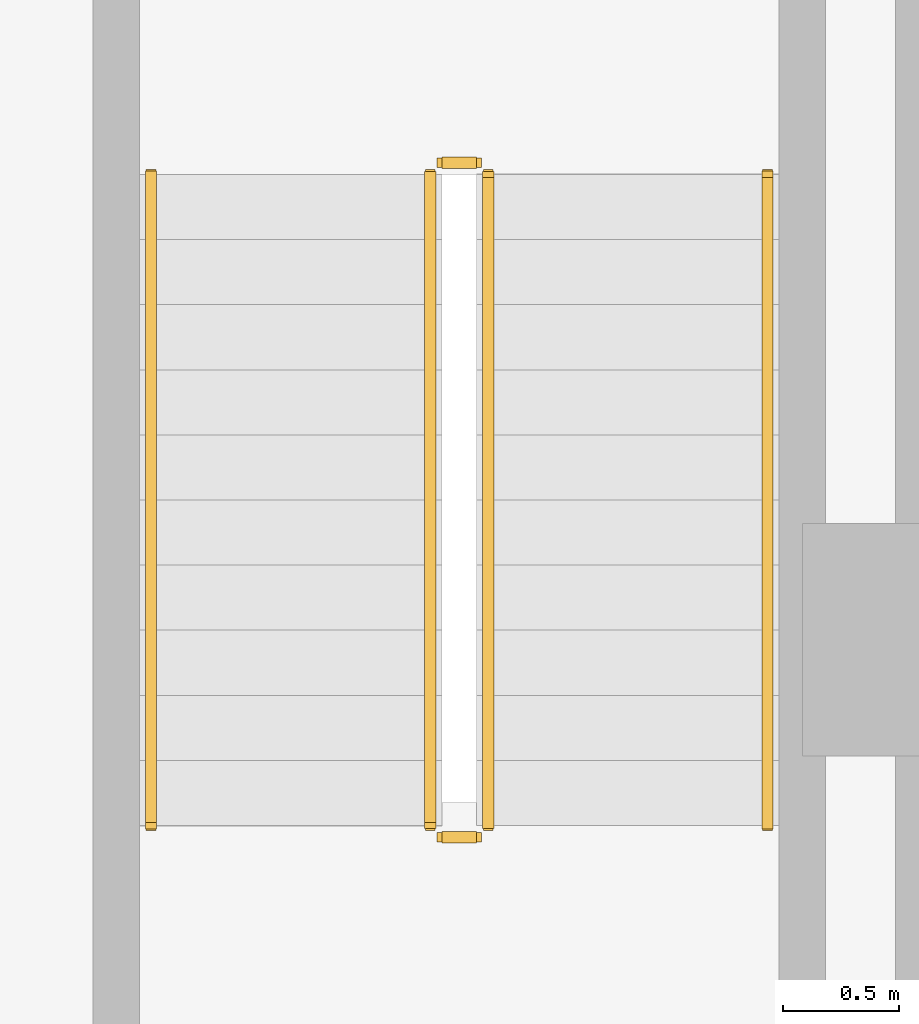
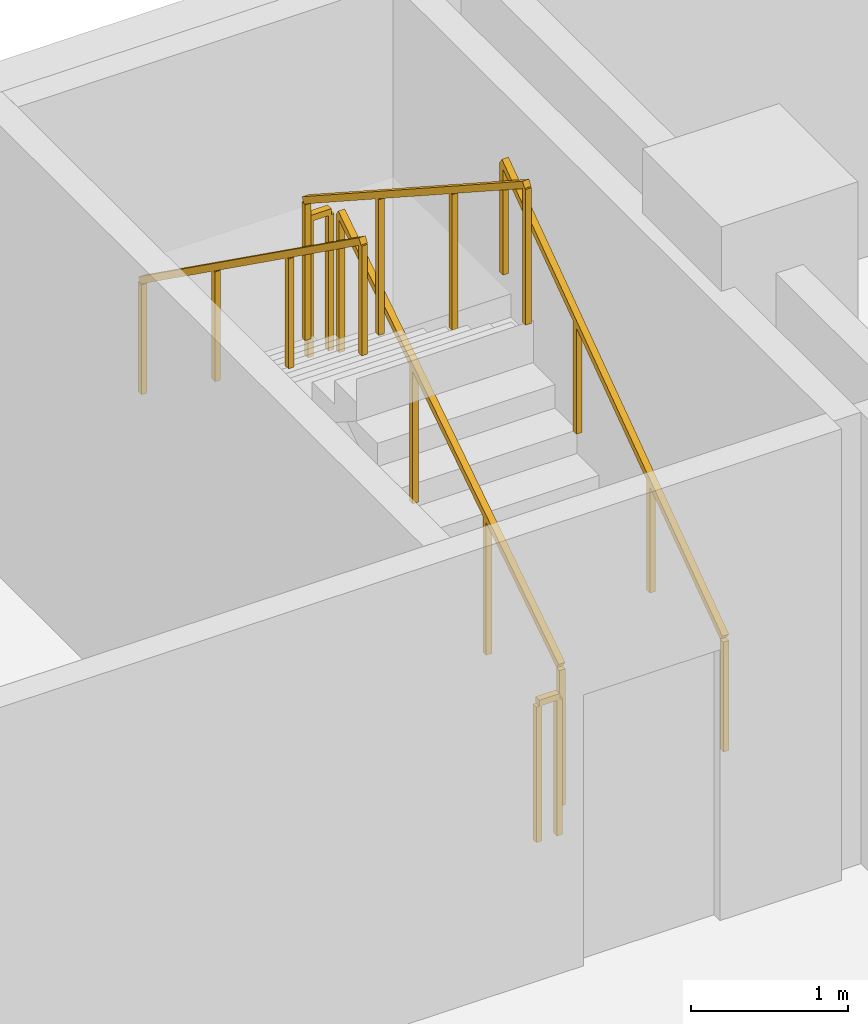
# One storey, part 45 of 45: 6 railings.
"""IFC4 building model written with IfcOpenShell, lengths in metres."""

from ifc_helpers import new_model, si_unit, direction, frame, origin, origin_2d, place, context, subcontext, project, spatial, rectangle, extrude, material, type_object, element, save


model = new_model("IFC4")

# Units and contexts
model_context = context("Model", 3, precision=1e-05, world=origin(), true_north=direction((0.0, 1.0)))
body_context = subcontext(model_context, "Body", "Model", "MODEL_VIEW")
ifc_project = project(units=[si_unit("LENGTHUNIT", "METRE"), si_unit("AREAUNIT", "SQUARE_METRE"), si_unit("VOLUMEUNIT", "CUBIC_METRE"), si_unit("PLANEANGLEUNIT", "RADIAN"), si_unit("MASSUNIT", "GRAM", prefix="KILO")], contexts=[model_context])

# Site, building, storey
site_placement = place(None, origin())
site = spatial("IfcSite", under=ifc_project, at=site_placement, CompositionType="ELEMENT")
building_placement = place(site_placement, origin())
building = spatial("IfcBuilding", under=site, at=building_placement, Name="Beryl Residences", CompositionType="ELEMENT")
storey_placement = place(building_placement, frame((0.0, 0.0, 5.0)))
storey = spatial("IfcBuildingStorey", under=building, at=storey_placement, Name="L01", CompositionType="ELEMENT", Elevation=5.0)

# Railings
ifc_material_1 = material(Name="Stainless steel balustrade with glass infill", Category="steel")
railing_type_1 = type_object("IfcRailingType", Name="SG1 stair guard 1100 mm", PredefinedType="GUARDRAIL", material=ifc_material_1)
railing_1_placement = place(storey_placement, frame((19.75, 35.199951171875, 0.181884765625)))
element("IfcRailing", 1, at=railing_1_placement, inside=storey, type_object=railing_type_1, Name="L01 PS-2 stair guard 1", PredefinedType="GUARDRAIL", context=body_context, shape_type="SweptSolid", body=[
    extrude(rectangle(XDim=0.048095703125, YDim=0.048095703125, at=origin_2d()), frame((0.0, 0.0, 1.076171875), z_axis=(0.0, 0.838705829183, 0.544584733623), x_axis=(-1.0, 0.0, 0.0)), (0.0, 0.0, 1.0), 3.338623046875),
    extrude(rectangle(XDim=0.0419921875, YDim=0.0419921875, at=origin_2d()), origin(), (0.0, 0.0, 1.0), 1.052001953125),
    extrude(rectangle(XDim=0.0419921875, YDim=0.0419921875, at=origin_2d()), frame((0.0, 0.933349609375, 0.60595703125)), (0.0, 0.0, 1.0), 1.052001953125),
    extrude(rectangle(XDim=0.0419921875, YDim=0.0419921875, at=origin_2d()), frame((0.0, 1.86669921875, 1.212158203125)), (0.0, 0.0, 1.0), 1.052001953125),
    extrude(rectangle(XDim=0.0419921875, YDim=0.0419921875, at=origin_2d()), frame((0.0, 2.800048828125, 1.818115234375)), (0.0, 0.0, 1.0), 1.052001953125),
])
railing_2_placement = place(storey_placement, frame((19.699951171875, 38.050048828125, 2.0)))
element("IfcRailing", 2, at=railing_2_placement, inside=storey, type_object=railing_type_1, Name="L01 PS-2 stair guard 2", PredefinedType="GUARDRAIL", context=body_context, shape_type="SweptSolid", body=[
    extrude(rectangle(XDim=0.048095703125, YDim=0.048095703125, at=origin_2d()), frame((0.0, 0.0, 1.076171875), z_axis=(-1.0, 0.0, 0.0), x_axis=(0.0, -1.0, 0.0)), (0.0, 0.0, 1.0), 0.14990234375),
    extrude(rectangle(XDim=0.0419921875, YDim=0.0419921875, at=origin_2d()), origin(), (0.0, 0.0, 1.0), 1.052001953125),
    extrude(rectangle(XDim=0.0419921875, YDim=0.0419921875, at=origin_2d()), frame((-0.14990234375, 0.0, 0.0)), (0.0, 0.0, 1.0), 1.052001953125),
])
railing_3_placement = place(storey_placement, frame((19.5, 38.0, 2.181884765625)))
element("IfcRailing", 3, at=railing_3_placement, inside=storey, type_object=railing_type_1, Name="L01 PS-2 stair guard 3", PredefinedType="GUARDRAIL", context=body_context, shape_type="SweptSolid", body=[
    extrude(rectangle(XDim=0.048095703125, YDim=0.048095703125, at=origin_2d()), frame((0.0, 0.0, 1.076171875), z_axis=(0.0, -0.838705829183, 0.544584733623), x_axis=(1.0, 0.0, 0.0)), (0.0, 0.0, 1.0), 3.338623046875),
    extrude(rectangle(XDim=0.0419921875, YDim=0.0419921875, at=origin_2d()), origin(), (0.0, 0.0, 1.0), 1.052001953125),
    extrude(rectangle(XDim=0.0419921875, YDim=0.0419921875, at=origin_2d()), frame((0.0, -0.933349609375, 0.60595703125)), (0.0, 0.0, 1.0), 1.052001953125),
    extrude(rectangle(XDim=0.0419921875, YDim=0.0419921875, at=origin_2d()), frame((0.0, -1.86669921875, 1.212158203125)), (0.0, 0.0, 1.0), 1.052001953125),
    extrude(rectangle(XDim=0.0419921875, YDim=0.0419921875, at=origin_2d()), frame((0.0, -2.800048828125, 1.818115234375)), (0.0, 0.0, 1.0), 1.052001953125),
])
railing_4_placement = place(storey_placement, frame((19.699951171875, 35.14990234375, 0.0)))
element("IfcRailing", 4, at=railing_4_placement, inside=storey, type_object=railing_type_1, Name="L01 PS-2 stair guard 4", PredefinedType="GUARDRAIL", context=body_context, shape_type="SweptSolid", body=[
    extrude(rectangle(XDim=0.048095703125, YDim=0.048095703125, at=origin_2d()), frame((0.0, 0.0, 1.076171875), z_axis=(-1.0, 0.0, 0.0), x_axis=(0.0, -1.0, 0.0)), (0.0, 0.0, 1.0), 0.14990234375),
    extrude(rectangle(XDim=0.0419921875, YDim=0.0419921875, at=origin_2d()), origin(), (0.0, 0.0, 1.0), 1.052001953125),
    extrude(rectangle(XDim=0.0419921875, YDim=0.0419921875, at=origin_2d()), frame((-0.14990234375, 0.0, 0.0)), (0.0, 0.0, 1.0), 1.052001953125),
])
ifc_material_2 = material(Name="Stainless steel handrail", Category="steel")
railing_type_2 = type_object("IfcRailingType", Name="SRL1 stair handrail 900 mm", PredefinedType="HANDRAIL", material=ifc_material_2)
railing_5_placement = place(storey_placement, frame((20.949951171875, 35.199951171875, 0.181884765625)))
element("IfcRailing", 5, at=railing_5_placement, inside=storey, type_object=railing_type_2, Name="L01 PS-2 stair handrail 1", PredefinedType="HANDRAIL", context=body_context, shape_type="SweptSolid", body=[
    extrude(rectangle(XDim=0.048095703125, YDim=0.048095703125, at=origin_2d()), frame((0.0, 0.0, 0.8759765625), z_axis=(0.0, 0.813738265173, 0.581231482108), x_axis=(-1.0, 0.0, 0.0)), (0.0, 0.0, 1.0), 3.44091796875),
    extrude(rectangle(XDim=0.0419921875, YDim=0.0419921875, at=origin_2d()), origin(), (0.0, 0.0, 1.0), 0.851806640625),
    extrude(rectangle(XDim=0.0419921875, YDim=0.0419921875, at=origin_2d()), frame((0.0, 0.933349609375, 0.666748046875)), (0.0, 0.0, 1.0), 0.851806640625),
    extrude(rectangle(XDim=0.0419921875, YDim=0.0419921875, at=origin_2d()), frame((0.0, 1.86669921875, 1.333251953125)), (0.0, 0.0, 1.0), 0.851806640625),
    extrude(rectangle(XDim=0.0419921875, YDim=0.0419921875, at=origin_2d()), frame((0.0, 2.800048828125, 2.0)), (0.0, 0.0, 1.0), 0.851806640625),
])
railing_6_placement = place(storey_placement, frame((18.300048828125, 38.0, 2.181884765625)))
element("IfcRailing", 6, at=railing_6_placement, inside=storey, type_object=railing_type_2, Name="L01 PS-2 stair handrail 2", PredefinedType="HANDRAIL", context=body_context, shape_type="SweptSolid", body=[
    extrude(rectangle(XDim=0.048095703125, YDim=0.048095703125, at=origin_2d()), frame((0.0, 0.0, 0.8759765625), z_axis=(0.0, -0.813738265173, 0.581231482108), x_axis=(1.0, 0.0, 0.0)), (0.0, 0.0, 1.0), 3.44091796875),
    extrude(rectangle(XDim=0.0419921875, YDim=0.0419921875, at=origin_2d()), origin(), (0.0, 0.0, 1.0), 0.851806640625),
    extrude(rectangle(XDim=0.0419921875, YDim=0.0419921875, at=origin_2d()), frame((0.0, -0.933349609375, 0.666748046875)), (0.0, 0.0, 1.0), 0.851806640625),
    extrude(rectangle(XDim=0.0419921875, YDim=0.0419921875, at=origin_2d()), frame((0.0, -1.86669921875, 1.333251953125)), (0.0, 0.0, 1.0), 0.851806640625),
    extrude(rectangle(XDim=0.0419921875, YDim=0.0419921875, at=origin_2d()), frame((0.0, -2.800048828125, 2.0)), (0.0, 0.0, 1.0), 0.851806640625),
])

save(model, "model.ifc")
